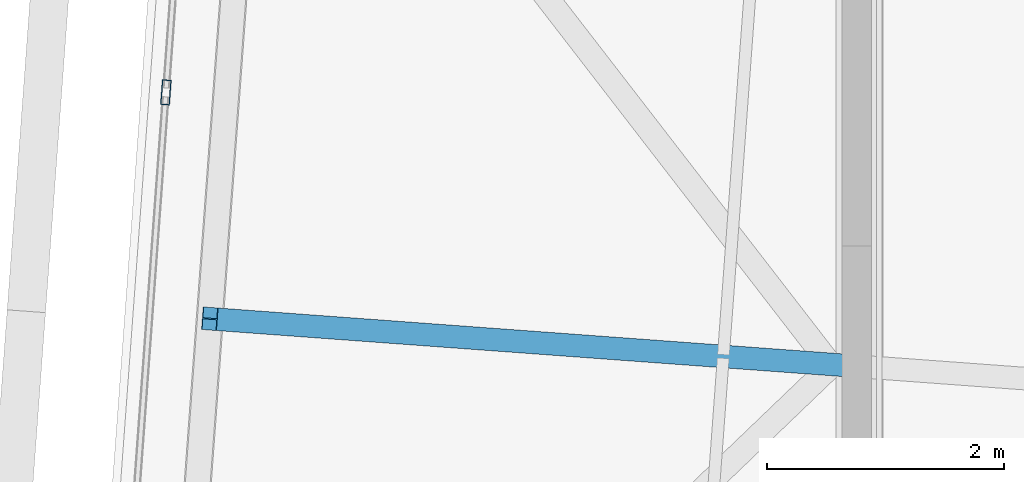
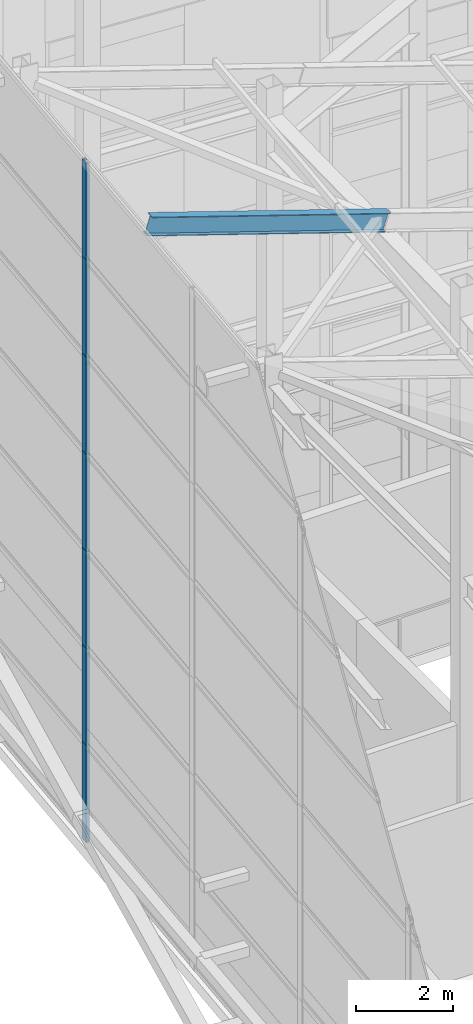
# One storey, part 17 of 56: 8 members, 7 elements without a shape of their own.
"""IFC4 building model written with IfcOpenShell, lengths in metres."""

from ifc_helpers import new_model, si_unit, direction, frame, origin, origin_2d, place, context, subcontext, project, spatial, hollow_rectangle, i_section, extrude, source, transform, mapped, material, layer, layer_set, material_profile, profile_set, type_object, element, aggregate, save


model = new_model("IFC4")

# Units and contexts
model_context = context("Model", 3, precision=1e-05, world=origin(), true_north=direction((0.0, 1.0)))
body_context = subcontext(model_context, "Body", "Model", "MODEL_VIEW")
ifc_project = project(units=[si_unit("LENGTHUNIT", "METRE"), si_unit("AREAUNIT", "SQUARE_METRE"), si_unit("VOLUMEUNIT", "CUBIC_METRE"), si_unit("PLANEANGLEUNIT", "RADIAN"), si_unit("MASSUNIT", "GRAM", prefix="KILO")], contexts=[model_context])

# Site, building, storey
site_placement = place(None, origin())
site = spatial("IfcSite", under=ifc_project, at=site_placement, CompositionType="ELEMENT")
building_placement = place(site_placement, origin())
building = spatial("IfcBuilding", under=site, at=building_placement, Name="Taldren Reach Tower", CompositionType="ELEMENT")
storey_placement = place(building_placement, frame((0.0, 0.0, 253.050048828125)))
storey = spatial("IfcBuildingStorey", under=building, at=storey_placement, Name="L77", CompositionType="ELEMENT", Elevation=253.050048828125)

# Member
ifc_material_1 = material(Name="Steel Gr 350 (350PLUS)", Category="steel")
ifc_material_profile_1 = material_profile(ifc_material_1, i_section(OverallWidth=0.19091796875, OverallDepth=0.4599609375, WebThickness=0.010009765625, FlangeThickness=0.01611328125, at=origin_2d()), Name="460UB82.1")
ifc_profile_set_1 = profile_set([ifc_material_profile_1], Name="Steel Gr 350 (350PLUS)")
member_type_1 = type_object("IfcMemberType", Name="MB-RAF460", PredefinedType="RAFTER", material=ifc_profile_set_1)
shared_shape_1 = source(origin(), body_context, "Body", "SweptSolid", [
    extrude(i_section(OverallWidth=0.19091796875, OverallDepth=0.4599609375, WebThickness=0.010009765625, FlangeThickness=0.01611328125, at=origin_2d()), origin(), (0.0, 0.0, 1.0), 5.6865234375),
])
member_1_placement = place(storey_placement, frame((18.985107421875, 27.184326171875, 14.97216796875), z_axis=(-0.958694027067, 0.070410130067, 0.275586966401), x_axis=(-0.073246517712, -0.997313866164, 0.0)))
element("IfcMember", 1, at=member_1_placement, inside=storey, type_object=member_type_1, Name="Crown sloped rafter RF-4.7", PredefinedType="RAFTER", context=body_context, shape_type="MappedRepresentation", body=[
    mapped(shared_shape_1, transform((0.0, 0.0, 0.0), scale=1.0)),
])

# Curtain wall, member
ifc_material_2 = material(Name="Aluminium and Low-E Glass Unitised System", Category="aluminium")
ifc_layer = layer(ifc_material_2, 0.159912109375)
ifc_layer_set = layer_set([ifc_layer], Name="Aluminium and Low-E Glass Unitised System")
curtain_wall_type = type_object("IfcCurtainWallType", Name="CW-SYS-8", PredefinedType="NOTDEFINED", material=ifc_layer_set)
curtain_wall_1_placement = place(storey_placement, origin())
curtain_wall_1 = element("IfcCurtainWall", 2, at=curtain_wall_1_placement, inside=storey, type_object=curtain_wall_type, Name="Unitised curtain wall CW8-L77-W", PredefinedType="NOTDEFINED")
ifc_material_3 = material(Name="Anodised Aluminium 6063-T6", Category="aluminium")
ifc_material_profile_2 = material_profile(ifc_material_3, hollow_rectangle(XDim=0.074951171875, YDim=0.2099609375, WallThickness=0.00439453125, at=origin_2d()), Name="ALU-210x75x4.5RHS")
ifc_profile_set_2 = profile_set([ifc_material_profile_2], Name="Anodised Aluminium 6063-T6")
member_type_2 = type_object("IfcMemberType", Name="CW-MUL-200", PredefinedType="MULLION", material=ifc_profile_set_2)
shared_shape_2 = source(origin(), body_context, "Body", "SweptSolid", [
    extrude(hollow_rectangle(XDim=0.074951171875, YDim=0.2099609375, WallThickness=0.00439453125, at=origin_2d()), origin(), (0.0, 0.0, 1.0), 2.4462890625),
])
member_2_placement = place(storey_placement, frame((13.16259765625, 29.4970703125, 0.0), z_axis=(0.0, 0.0, 1.0), x_axis=(0.997314470951, -0.073238282558, 0.0)))
member_2 = element("IfcMember", 3, at=member_2_placement, type_object=member_type_2, Name="CW-8 mullion 2", PredefinedType="MULLION", context=body_context, shape_type="MappedRepresentation", body=[
    mapped(shared_shape_2, transform((0.0, 0.0, 0.0), scale=1.0)),
])
aggregate(curtain_wall_1, [member_2])

curtain_wall_2_placement = place(storey_placement, origin())
curtain_wall_2 = element("IfcCurtainWall", 4, at=curtain_wall_2_placement, inside=storey, type_object=curtain_wall_type, Name="Unitised curtain wall CW8-L77-W-T3", PredefinedType="NOTDEFINED")
member_3_placement = place(storey_placement, frame((13.16259765625, 29.4970703125, 4.892822265625), z_axis=(0.0, 0.0, 1.0), x_axis=(0.997314470951, -0.073238282558, 0.0)))
member_3 = element("IfcMember", 5, at=member_3_placement, type_object=member_type_2, Name="CW-8 mullion 2", PredefinedType="MULLION", context=body_context, shape_type="MappedRepresentation", body=[
    mapped(shared_shape_2, transform((0.0, 0.0, 0.0), scale=1.0)),
])
aggregate(curtain_wall_2, [member_3])

curtain_wall_3_placement = place(storey_placement, origin())
curtain_wall_3 = element("IfcCurtainWall", 6, at=curtain_wall_3_placement, inside=storey, type_object=curtain_wall_type, Name="Unitised curtain wall CW8-L77-W-T5", PredefinedType="NOTDEFINED")
member_4_placement = place(storey_placement, frame((13.16259765625, 29.4970703125, 9.78564453125), z_axis=(0.0, 0.0, 1.0), x_axis=(0.997314470951, -0.073238282558, 0.0)))
member_4 = element("IfcMember", 7, at=member_4_placement, type_object=member_type_2, Name="CW-8 mullion 2", PredefinedType="MULLION", context=body_context, shape_type="MappedRepresentation", body=[
    mapped(shared_shape_2, transform((0.0, 0.0, 0.0), scale=1.0)),
])
aggregate(curtain_wall_3, [member_4])

curtain_wall_4_placement = place(storey_placement, origin())
curtain_wall_4 = element("IfcCurtainWall", 8, at=curtain_wall_4_placement, inside=storey, type_object=curtain_wall_type, Name="Unitised curtain wall CW8-L77-W-T7", PredefinedType="NOTDEFINED")
member_5_placement = place(storey_placement, frame((13.16259765625, 29.4970703125, 14.678466796875), z_axis=(0.0, 0.0, 1.0), x_axis=(0.997314470951, -0.073238282558, 0.0)))
member_5 = element("IfcMember", 9, at=member_5_placement, type_object=member_type_2, Name="CW-8 mullion 2", PredefinedType="MULLION", context=body_context, shape_type="MappedRepresentation", body=[
    mapped(shared_shape_2, transform((0.0, 0.0, 0.0), scale=1.0)),
])
aggregate(curtain_wall_4, [member_5])

curtain_wall_5_placement = place(storey_placement, origin())
curtain_wall_5 = element("IfcCurtainWall", 10, at=curtain_wall_5_placement, inside=storey, type_object=curtain_wall_type, Name="Unitised curtain wall CW8-L77-W-T2", PredefinedType="NOTDEFINED")
shared_shape_3 = source(origin(), body_context, "Body", "SweptSolid", [
    extrude(hollow_rectangle(XDim=0.074951171875, YDim=0.2099609375, WallThickness=0.00439453125, at=origin_2d()), origin(), (0.0, 0.0, 1.0), 2.446533203125),
])
member_6_placement = place(storey_placement, frame((13.16259765625, 29.4970703125, 2.4462890625), z_axis=(0.0, 0.0, 1.0), x_axis=(0.997314470951, -0.073238282558, 0.0)))
member_6 = element("IfcMember", 11, at=member_6_placement, type_object=member_type_2, Name="CW-8 mullion 2", PredefinedType="MULLION", context=body_context, shape_type="MappedRepresentation", body=[
    mapped(shared_shape_3, transform((0.0, 0.0, 0.0), scale=1.0)),
])
aggregate(curtain_wall_5, [member_6])

curtain_wall_6_placement = place(storey_placement, origin())
curtain_wall_6 = element("IfcCurtainWall", 12, at=curtain_wall_6_placement, inside=storey, type_object=curtain_wall_type, Name="Unitised curtain wall CW8-L77-W-T4", PredefinedType="NOTDEFINED")
member_7_placement = place(storey_placement, frame((13.16259765625, 29.4970703125, 7.339111328125), z_axis=(0.0, 0.0, 1.0), x_axis=(0.997314470951, -0.073238282558, 0.0)))
member_7 = element("IfcMember", 13, at=member_7_placement, type_object=member_type_2, Name="CW-8 mullion 2", PredefinedType="MULLION", context=body_context, shape_type="MappedRepresentation", body=[
    mapped(shared_shape_3, transform((0.0, 0.0, 0.0), scale=1.0)),
])
aggregate(curtain_wall_6, [member_7])

curtain_wall_7_placement = place(storey_placement, origin())
curtain_wall_7 = element("IfcCurtainWall", 14, at=curtain_wall_7_placement, inside=storey, type_object=curtain_wall_type, Name="Unitised curtain wall CW8-L77-W-T6", PredefinedType="NOTDEFINED")
member_8_placement = place(storey_placement, frame((13.16259765625, 29.4970703125, 12.23193359375), z_axis=(0.0, 0.0, 1.0), x_axis=(0.997314470951, -0.073238282558, 0.0)))
member_8 = element("IfcMember", 15, at=member_8_placement, type_object=member_type_2, Name="CW-8 mullion 2", PredefinedType="MULLION", context=body_context, shape_type="MappedRepresentation", body=[
    mapped(shared_shape_3, transform((0.0, 0.0, 0.0), scale=1.0)),
])
aggregate(curtain_wall_7, [member_8])

save(model, "model.ifc")
